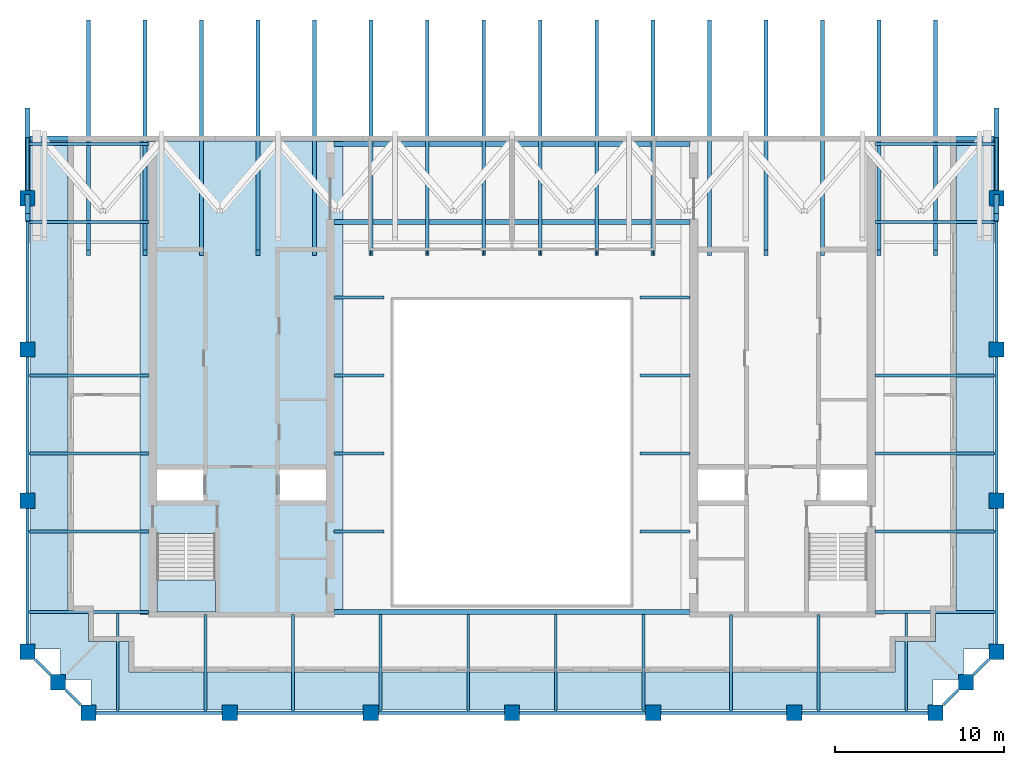
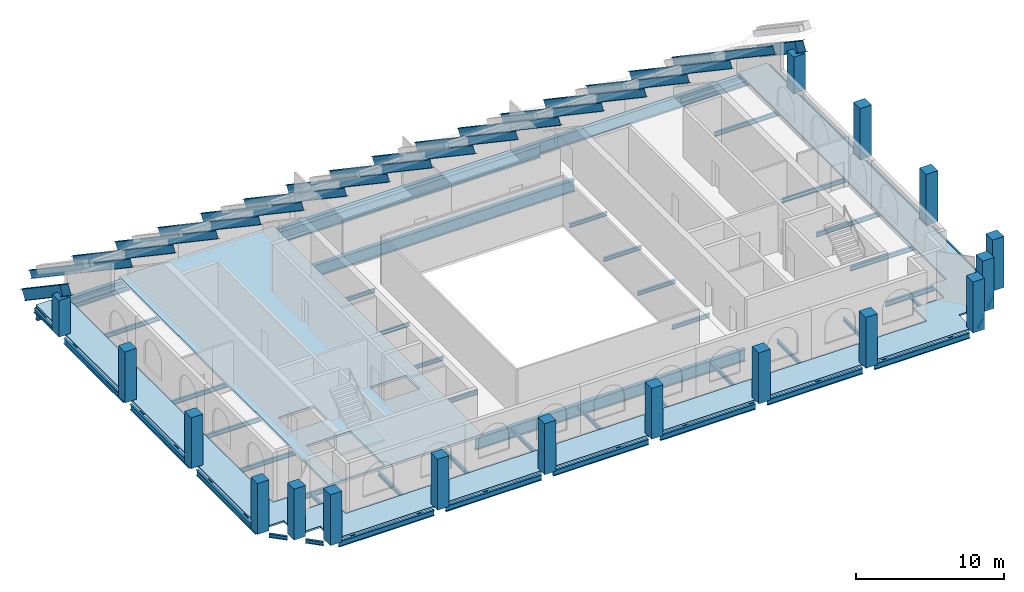
# One storey, part 1 of 6: 56 beams, 17 columns, 16 members, 3 slabs, 1 element without a shape of its own.
"""IFC4 building model written with IfcOpenShell, lengths in metres."""

from ifc_helpers import new_model, si_unit, direction, frame, origin, origin_2d, place, context, subcontext, project, spatial, polyline, rectangle, i_section, outline, extrude, material, layer, layer_set, material_profile, profile_set, type_object, element, aggregate, save


model = new_model("IFC4")

# Units and contexts
model_context = context("Model", 3, precision=1e-05, world=origin(), true_north=direction((0.0, 1.0)))
body_context = subcontext(model_context, "Body", "Model", "MODEL_VIEW")
ifc_project = project(units=[si_unit("LENGTHUNIT", "METRE"), si_unit("AREAUNIT", "SQUARE_METRE"), si_unit("VOLUMEUNIT", "CUBIC_METRE"), si_unit("PLANEANGLEUNIT", "RADIAN"), si_unit("MASSUNIT", "GRAM", prefix="KILO")], contexts=[model_context])

# Site, building, storey
site_placement = place(None, origin())
site = spatial("IfcSite", under=ifc_project, at=site_placement, CompositionType="ELEMENT")
building_placement = place(site_placement, origin())
building = spatial("IfcBuilding", under=site, at=building_placement, Name="Ogive Exchange Tower", CompositionType="ELEMENT")
storey_placement = place(building_placement, frame((0.0, 0.0, 390.0)))
storey = spatial("IfcBuildingStorey", under=building, at=storey_placement, Name="C06", CompositionType="ELEMENT", Elevation=390.0)

# Columns
ifc_material_1 = material(Name="Precast concrete C70/85 (limestone faced)", Category="masonry")
ifc_material_profile_1 = material_profile(ifc_material_1, rectangle(XDim=0.89990234375, YDim=0.89990234375, at=origin_2d()), Name="900 x 900")
ifc_profile_set_1 = profile_set([ifc_material_profile_1], Name="Precast concrete C70/85 (limestone faced)")
column_type = type_object("IfcColumnType", Name="Precast exoskeleton leg 900 x 900 C70/85", PredefinedType="COLUMN", material=ifc_profile_set_1)
for number, where, z_axis, x_axis, name in (
    (1, (-25.050048828125, -8.39990234375, 0.0), (0.0, 0.0, 1.0), (1.0, 0.0, 0.0), "Crown leg 1"),
    (2, (-16.699951171875, -8.39990234375, 0.0), (0.0, 0.0, 1.0), (1.0, 0.0, 0.0), "Crown leg 2"),
    (3, (-8.35009765625, -8.39990234375, 0.0), (0.0, 0.0, 1.0), (1.0, 0.0, 0.0), "Crown leg 3"),
    (4, (0.0, -8.39990234375, 0.0), (0.0, 0.0, 1.0), (1.0, 0.0, 0.0), "Crown leg 4"),
    (5, (8.35009765625, -8.39990234375, 0.0), (0.0, 0.0, 1.0), (1.0, 0.0, 0.0), "Crown leg 5"),
    (6, (16.699951171875, -8.39990234375, 0.0), (0.0, 0.0, 1.0), (1.0, 0.0, 0.0), "Crown leg 6"),
    (7, (25.050048828125, -8.39990234375, 0.0), (0.0, 0.0, 1.0), (1.0, 0.0, 0.0), "Crown leg 7"),
    (8, (28.64990234375, -4.800048828125, 0.0), (0.0, 0.0, 1.0), (1.0, 0.0, 0.0), "Crown leg 8"),
    (9, (28.64990234375, 4.142822265625, 0.0), (0.0, 0.0, 1.0), (1.0, 0.0, 0.0), "Crown leg 9"),
    (10, (28.64990234375, 13.085693359375, 0.0), (0.0, 0.0, 1.0), (1.0, 0.0, 0.0), "Crown leg 10"),
):
    element("IfcColumn", number, at=place(storey_placement, frame(where, z_axis=z_axis, x_axis=x_axis)), inside=storey, type_object=column_type, Name=name, PredefinedType="COLUMN", context=body_context, shape_type="SweptSolid", body=[
        extrude(rectangle(XDim=0.89990234375, YDim=0.89990234375, at=origin_2d()), origin(), (0.0, 0.0, 1.0), 4.199951171875),
    ])
for number, where, z_axis, x_axis, name in (
    (11, (28.64990234375, 22.028564453125, 0.0), (0.0, 0.0, 1.0), (1.0, 0.0, 0.0), "Crown leg 11"),
    (12, (-28.64990234375, 22.028564453125, 0.0), (0.0, 0.0, 1.0), (1.0, 0.0, 0.0), "Crown leg 27"),
):
    element("IfcColumn", number, at=place(storey_placement, frame(where, z_axis=z_axis, x_axis=x_axis)), inside=storey, type_object=column_type, Name=name, PredefinedType="COLUMN", context=body_context, shape_type="SweptSolid", body=[
        extrude(rectangle(XDim=0.89990234375, YDim=0.89990234375, at=origin_2d()), origin(), (0.0, 0.0, 1.0), 3.014892578125),
    ])
for number, where, z_axis, x_axis, name in (
    (13, (-28.64990234375, 13.085693359375, 0.0), (0.0, 0.0, 1.0), (1.0, 0.0, 0.0), "Crown leg 28"),
    (14, (-28.64990234375, 4.142822265625, 0.0), (0.0, 0.0, 1.0), (1.0, 0.0, 0.0), "Crown leg 29"),
    (15, (-28.64990234375, -4.800048828125, 0.0), (0.0, 0.0, 1.0), (1.0, 0.0, 0.0), "Crown leg 30"),
    (16, (26.85009765625, -6.60009765625, 0.0), (0.0, 0.0, 1.0), (1.0, 0.0, 0.0), "Crown leg 31"),
    (17, (-26.85009765625, -6.60009765625, 0.0), (0.0, 0.0, 1.0), (1.0, 0.0, 0.0), "Crown leg 34"),
):
    element("IfcColumn", number, at=place(storey_placement, frame(where, z_axis=z_axis, x_axis=x_axis)), inside=storey, type_object=column_type, Name=name, PredefinedType="COLUMN", context=body_context, shape_type="SweptSolid", body=[
        extrude(rectangle(XDim=0.89990234375, YDim=0.89990234375, at=origin_2d()), origin(), (0.0, 0.0, 1.0), 4.199951171875),
    ])

# Members
ifc_material_2 = material(Name="Steel ASTM A992 Gr50", Category="steel")
ifc_material_profile_2 = material_profile(ifc_material_2, i_section(OverallWidth=0.22900390625, OverallDepth=0.612060546875, WebThickness=0.011962890625, FlangeThickness=0.01953125, at=origin_2d()), Name="W610x125")
ifc_profile_set_2 = profile_set([ifc_material_profile_2], Name="Steel ASTM A992 Gr50")
member_type = type_object("IfcMemberType", Name="Crown rafter W610x125", PredefinedType="RAFTER", material=ifc_profile_set_2)
for number, where, z_axis, x_axis, name in (
    (18, (-25.050048828125, 18.800048828125, 6.3974609375), (0.0, 0.829034101641, -0.559198049278), (-1.0, 0.0, 0.0), "Crown rafter"),
    (19, (-21.7099609375, 18.800048828125, 6.3974609375), (0.0, 0.829034101641, -0.559198049278), (-1.0, 0.0, 0.0), "Crown rafter"),
    (20, (-18.3701171875, 18.800048828125, 6.3974609375), (0.0, 0.829034101641, -0.559198049278), (-1.0, 0.0, 0.0), "Crown rafter"),
    (21, (-15.030029296875, 18.800048828125, 6.3974609375), (0.0, 0.829034101641, -0.559198049278), (-1.0, 0.0, 0.0), "Crown rafter"),
    (22, (-11.68994140625, 18.800048828125, 6.3974609375), (0.0, 0.829034101641, -0.559198049278), (-1.0, 0.0, 0.0), "Crown rafter"),
    (23, (-8.35009765625, 18.800048828125, 6.3974609375), (0.0, 0.829034101641, -0.559198049278), (-1.0, 0.0, 0.0), "Crown rafter"),
    (24, (-5.010009765625, 18.800048828125, 6.3974609375), (0.0, 0.829034101641, -0.559198049278), (-1.0, 0.0, 0.0), "Crown rafter"),
    (25, (-1.669921875, 18.800048828125, 6.3974609375), (0.0, 0.829034101641, -0.559198049278), (-1.0, 0.0, 0.0), "Crown rafter"),
    (26, (1.669921875, 18.800048828125, 6.3974609375), (0.0, 0.829034101641, -0.559198049278), (-1.0, 0.0, 0.0), "Crown rafter"),
    (27, (5.010009765625, 18.800048828125, 6.3974609375), (0.0, 0.829034101641, -0.559198049278), (-1.0, 0.0, 0.0), "Crown rafter"),
    (28, (8.35009765625, 18.800048828125, 6.3974609375), (0.0, 0.829034101641, -0.559198049278), (-1.0, 0.0, 0.0), "Crown rafter"),
    (29, (11.68994140625, 18.800048828125, 6.3974609375), (0.0, 0.829034101641, -0.559198049278), (-1.0, 0.0, 0.0), "Crown rafter"),
    (30, (15.030029296875, 18.800048828125, 6.3974609375), (0.0, 0.829034101641, -0.559198049278), (-1.0, 0.0, 0.0), "Crown rafter"),
    (31, (18.3701171875, 18.800048828125, 6.3974609375), (0.0, 0.829034101641, -0.559198049278), (-1.0, 0.0, 0.0), "Crown rafter"),
    (32, (21.7099609375, 18.800048828125, 6.3974609375), (0.0, 0.829034101641, -0.559198049278), (-1.0, 0.0, 0.0), "Crown rafter"),
    (33, (25.050048828125, 18.800048828125, 6.3974609375), (0.0, 0.829034101641, -0.559198049278), (-1.0, 0.0, 0.0), "Crown rafter"),
):
    element("IfcMember", number, at=place(storey_placement, frame(where, z_axis=z_axis, x_axis=x_axis)), inside=storey, type_object=member_type, Name=name, PredefinedType="RAFTER", context=body_context, shape_type="SweptSolid", body=[
        extrude(i_section(OverallWidth=0.22900390625, OverallDepth=0.612060546875, WebThickness=0.011962890625, FlangeThickness=0.01953125, at=origin_2d()), origin(), (0.0, 0.0, 1.0), 16.404541015625),
    ])

# Beams
ifc_material_profile_3 = material_profile(ifc_material_2, i_section(OverallWidth=0.2919921875, OverallDepth=0.8359375, WebThickness=0.013916015625, FlangeThickness=0.018798828125, at=origin_2d()), Name="W840x176")
ifc_profile_set_3 = profile_set([ifc_material_profile_3], Name="Steel ASTM A992 Gr50")
beam_type_1 = type_object("IfcBeamType", Name="Crown raking ring beam W840x176", PredefinedType="BEAM", material=ifc_profile_set_3)
beam_1_placement = place(storey_placement, frame((28.64990234375, 20.891357421875, 4.199951171875), z_axis=(0.0, 0.829108586608, -0.559087606384), x_axis=(-1.0, 0.0, 0.0)))
element("IfcBeam", 34, at=beam_1_placement, inside=storey, type_object=beam_type_1, Name="Crown ring beam 11", PredefinedType="BEAM", context=body_context, shape_type="SweptSolid", body=[
    extrude(i_section(OverallWidth=0.2919921875, OverallDepth=0.8359375, WebThickness=0.013916015625, FlangeThickness=0.018798828125, at=origin_2d()), origin(), (0.0, 0.0, 1.0), 1.37158203125),
])
for number, where, z_axis, x_axis, name in (
    (35, (28.64990234375, 22.028564453125, 3.43310546875), (0.0, 0.829027968325, -0.559207142063), (-1.0, 0.0, 0.0), "Crown ring beam 12"),
    (36, (-28.64990234375, 27.1181640625, 0.0), (0.0, -0.829027968325, 0.559207142063), (1.0, 0.0, 0.0), "Crown ring beam 29"),
):
    element("IfcBeam", number, at=place(storey_placement, frame(where, z_axis=z_axis, x_axis=x_axis)), inside=storey, type_object=beam_type_1, Name=name, PredefinedType="BEAM", context=body_context, shape_type="SweptSolid", body=[
        extrude(i_section(OverallWidth=0.2919921875, OverallDepth=0.8359375, WebThickness=0.013916015625, FlangeThickness=0.018798828125, at=origin_2d()), origin(), (0.0, 0.0, 1.0), 6.13916015625),
    ])
beam_2_placement = place(storey_placement, frame((-28.64990234375, 22.028564453125, 3.43310546875), z_axis=(0.0, -0.829108586608, 0.559087606384), x_axis=(1.0, 0.0, 0.0)))
element("IfcBeam", 37, at=beam_2_placement, inside=storey, type_object=beam_type_1, Name="Crown ring beam 30", PredefinedType="BEAM", context=body_context, shape_type="SweptSolid", body=[
    extrude(i_section(OverallWidth=0.2919921875, OverallDepth=0.8359375, WebThickness=0.013916015625, FlangeThickness=0.018798828125, at=origin_2d()), origin(), (0.0, 0.0, 1.0), 1.37158203125),
])
ifc_material_profile_4 = material_profile(ifc_material_2, i_section(OverallWidth=0.300048828125, OverallDepth=0.97998046875, WebThickness=0.0166015625, FlangeThickness=0.026123046875, at=origin_2d()), Name="W1000x249")
ifc_profile_set_4 = profile_set([ifc_material_profile_4], Name="Steel ASTM A992 Gr50")
beam_type_2 = type_object("IfcBeamType", Name="Floor beam W1000x249", PredefinedType="JOIST", material=ifc_profile_set_4)
beam_3_placement = place(storey_placement, frame((-10.52001953125, 20.613037109375, -0.68994140625), z_axis=(1.0, 0.0, 0.0), x_axis=(0.0, 1.0, 0.0)))
element("IfcBeam", 38, at=beam_3_placement, inside=storey, type_object=beam_type_2, Name="Floor beam", PredefinedType="JOIST", context=body_context, shape_type="SweptSolid", body=[
    extrude(i_section(OverallWidth=0.300048828125, OverallDepth=0.97998046875, WebThickness=0.0166015625, FlangeThickness=0.026123046875, at=origin_2d()), origin(), (0.0, 0.0, 1.0), 21.0400390625),
])
ifc_material_profile_5 = material_profile(ifc_material_2, i_section(OverallWidth=0.1650390625, OverallDepth=0.31005859375, WebThickness=0.005859375, FlangeThickness=0.009765625, at=origin_2d()), Name="W310x38.7")
ifc_profile_set_5 = profile_set([ifc_material_profile_5], Name="Steel ASTM A992 Gr50")
beam_type_3 = type_object("IfcBeamType", Name="Floor beam W310x38.7", PredefinedType="JOIST", material=ifc_profile_set_5)
for number, where, z_axis, x_axis, name in (
    (39, (-10.52001953125, 2.3212890625, -0.35498046875), (1.0, 0.0, 0.0), (0.0, 1.0, 0.0), "Floor beam"),
    (40, (7.570068359375, 2.3212890625, -0.35498046875), (1.0, 0.0, 0.0), (0.0, 1.0, 0.0), "Floor beam"),
    (41, (-10.52001953125, 6.9326171875, -0.35498046875), (1.0, 0.0, 0.0), (0.0, 1.0, 0.0), "Floor beam"),
    (42, (7.570068359375, 6.9326171875, -0.35498046875), (1.0, 0.0, 0.0), (0.0, 1.0, 0.0), "Floor beam"),
    (43, (-10.52001953125, 11.543701171875, -0.35498046875), (1.0, 0.0, 0.0), (0.0, 1.0, 0.0), "Floor beam"),
    (44, (7.570068359375, 11.543701171875, -0.35498046875), (1.0, 0.0, 0.0), (0.0, 1.0, 0.0), "Floor beam"),
):
    element("IfcBeam", number, at=place(storey_placement, frame(where, z_axis=z_axis, x_axis=x_axis)), inside=storey, type_object=beam_type_3, Name=name, PredefinedType="JOIST", context=body_context, shape_type="SweptSolid", body=[
        extrude(i_section(OverallWidth=0.1650390625, OverallDepth=0.31005859375, WebThickness=0.005859375, FlangeThickness=0.009765625, at=origin_2d()), origin(), (0.0, 0.0, 1.0), 2.949951171875),
    ])
beam_4_placement = place(storey_placement, frame((-23.314208984375, -8.304443359375, -0.35498046875), z_axis=(0.0, 1.0, 0.0), x_axis=(-1.0, 0.0, 0.0)))
element("IfcBeam", 45, at=beam_4_placement, inside=storey, type_object=beam_type_3, Name="Floor beam", PredefinedType="JOIST", context=body_context, shape_type="SweptSolid", body=[
    extrude(i_section(OverallWidth=0.1650390625, OverallDepth=0.31005859375, WebThickness=0.005859375, FlangeThickness=0.009765625, at=origin_2d()), origin(), (0.0, 0.0, 1.0), 5.7705078125),
])
for number, where, z_axis, x_axis, name in (
    (46, (-18.13330078125, -8.304443359375, -0.35498046875), (0.0, 1.0, 0.0), (-1.0, 0.0, 0.0), "Floor beam"),
    (47, (-12.952392578125, -8.304443359375, -0.35498046875), (0.0, 1.0, 0.0), (-1.0, 0.0, 0.0), "Floor beam"),
):
    element("IfcBeam", number, at=place(storey_placement, frame(where, z_axis=z_axis, x_axis=x_axis)), inside=storey, type_object=beam_type_3, Name=name, PredefinedType="JOIST", context=body_context, shape_type="SweptSolid", body=[
        extrude(i_section(OverallWidth=0.1650390625, OverallDepth=0.31005859375, WebThickness=0.005859375, FlangeThickness=0.009765625, at=origin_2d()), origin(), (0.0, 0.0, 1.0), 5.704345703125),
    ])
for number, where, z_axis, x_axis, name in (
    (48, (-7.771484375, -8.304443359375, -0.35498046875), (0.0, 1.0, 0.0), (-1.0, 0.0, 0.0), "Floor beam"),
    (49, (-2.590576171875, -8.304443359375, -0.35498046875), (0.0, 1.0, 0.0), (-1.0, 0.0, 0.0), "Floor beam"),
    (50, (2.590576171875, -8.304443359375, -0.35498046875), (0.0, 1.0, 0.0), (-1.0, 0.0, 0.0), "Floor beam"),
    (51, (7.771484375, -8.304443359375, -0.35498046875), (0.0, 1.0, 0.0), (-1.0, 0.0, 0.0), "Floor beam"),
):
    element("IfcBeam", number, at=place(storey_placement, frame(where, z_axis=z_axis, x_axis=x_axis)), inside=storey, type_object=beam_type_3, Name=name, PredefinedType="JOIST", context=body_context, shape_type="SweptSolid", body=[
        extrude(i_section(OverallWidth=0.1650390625, OverallDepth=0.31005859375, WebThickness=0.005859375, FlangeThickness=0.009765625, at=origin_2d()), origin(), (0.0, 0.0, 1.0), 5.70947265625),
    ])
for number, where, z_axis, x_axis, name in (
    (52, (12.952392578125, -8.304443359375, -0.35498046875), (0.0, 1.0, 0.0), (-1.0, 0.0, 0.0), "Floor beam"),
    (53, (18.13330078125, -8.304443359375, -0.35498046875), (0.0, 1.0, 0.0), (-1.0, 0.0, 0.0), "Floor beam"),
):
    element("IfcBeam", number, at=place(storey_placement, frame(where, z_axis=z_axis, x_axis=x_axis)), inside=storey, type_object=beam_type_3, Name=name, PredefinedType="JOIST", context=body_context, shape_type="SweptSolid", body=[
        extrude(i_section(OverallWidth=0.1650390625, OverallDepth=0.31005859375, WebThickness=0.005859375, FlangeThickness=0.009765625, at=origin_2d()), origin(), (0.0, 0.0, 1.0), 5.704345703125),
    ])
beam_5_placement = place(storey_placement, frame((23.314208984375, -8.304443359375, -0.35498046875), z_axis=(0.0, 1.0, 0.0), x_axis=(-1.0, 0.0, 0.0)))
element("IfcBeam", 54, at=beam_5_placement, inside=storey, type_object=beam_type_3, Name="Floor beam", PredefinedType="JOIST", context=body_context, shape_type="SweptSolid", body=[
    extrude(i_section(OverallWidth=0.1650390625, OverallDepth=0.31005859375, WebThickness=0.005859375, FlangeThickness=0.009765625, at=origin_2d()), origin(), (0.0, 0.0, 1.0), 5.7705078125),
])
ifc_material_profile_6 = material_profile(ifc_material_2, i_section(OverallWidth=0.1708984375, OverallDepth=0.35595703125, WebThickness=0.00732421875, FlangeThickness=0.01171875, at=origin_2d()), Name="W360x51")
ifc_profile_set_6 = profile_set([ifc_material_profile_6], Name="Steel ASTM A992 Gr50")
beam_type_4 = type_object("IfcBeamType", Name="Floor beam W360x51", PredefinedType="JOIST", material=ifc_profile_set_6)
for number, where, z_axis, x_axis, name in (
    (55, (-28.554443359375, 2.3212890625, -0.3779296875), (1.0, 0.0, 0.0), (0.0, 1.0, 0.0), "Floor beam"),
    (56, (21.47998046875, 2.3212890625, -0.3779296875), (1.0, 0.0, 0.0), (0.0, 1.0, 0.0), "Floor beam"),
    (57, (-28.554443359375, 6.9326171875, -0.3779296875), (1.0, 0.0, 0.0), (0.0, 1.0, 0.0), "Floor beam"),
    (58, (21.47998046875, 6.9326171875, -0.3779296875), (1.0, 0.0, 0.0), (0.0, 1.0, 0.0), "Floor beam"),
    (59, (-28.554443359375, 11.543701171875, -0.3779296875), (1.0, 0.0, 0.0), (0.0, 1.0, 0.0), "Floor beam"),
    (60, (21.47998046875, 11.543701171875, -0.3779296875), (1.0, 0.0, 0.0), (0.0, 1.0, 0.0), "Floor beam"),
    (61, (-28.554443359375, 20.613037109375, -0.3779296875), (1.0, 0.0, 0.0), (0.0, 1.0, 0.0), "Floor beam"),
    (62, (21.47998046875, 20.613037109375, -0.3779296875), (1.0, 0.0, 0.0), (0.0, 1.0, 0.0), "Floor beam"),
):
    element("IfcBeam", number, at=place(storey_placement, frame(where, z_axis=z_axis, x_axis=x_axis)), inside=storey, type_object=beam_type_4, Name=name, PredefinedType="JOIST", context=body_context, shape_type="SweptSolid", body=[
        extrude(i_section(OverallWidth=0.1708984375, OverallDepth=0.35595703125, WebThickness=0.00732421875, FlangeThickness=0.01171875, at=origin_2d()), origin(), (0.0, 0.0, 1.0), 7.074462890625),
    ])
ifc_material_profile_7 = material_profile(ifc_material_2, i_section(OverallWidth=0.300048828125, OverallDepth=0.97998046875, WebThickness=0.0166015625, FlangeThickness=0.026123046875, at=origin_2d()), Name="W1000x249")
ifc_profile_set_7 = profile_set([ifc_material_profile_7], Name="Steel ASTM A992 Gr50")
beam_type_5 = type_object("IfcBeamType", Name="Girder W1000x249", PredefinedType="BEAM", material=ifc_profile_set_7)
beam_6_placement = place(storey_placement, frame((-28.5673828125, 25.56591796875, -0.68994140625), z_axis=(1.0, 0.0, 0.0), x_axis=(0.0, 1.0, 0.0)))
element("IfcBeam", 63, at=beam_6_placement, inside=storey, type_object=beam_type_5, Name="Trimmer girder", PredefinedType="BEAM", context=body_context, shape_type="SweptSolid", body=[
    extrude(i_section(OverallWidth=0.300048828125, OverallDepth=0.97998046875, WebThickness=0.0166015625, FlangeThickness=0.026123046875, at=origin_2d()), origin(), (0.0, 0.0, 1.0), 57.134765625),
])
for number, where, z_axis, x_axis, name in (
    (64, (-10.52001953125, -2.445068359375, -0.68994140625), (1.0, 0.0, 0.0), (0.0, 1.0, 0.0), "Header girder"),
    (65, (-10.52001953125, 25.225830078125, -0.68994140625), (1.0, 0.0, 0.0), (0.0, 1.0, 0.0), "Header girder"),
):
    element("IfcBeam", number, at=place(storey_placement, frame(where, z_axis=z_axis, x_axis=x_axis)), inside=storey, type_object=beam_type_5, Name=name, PredefinedType="BEAM", context=body_context, shape_type="SweptSolid", body=[
        extrude(i_section(OverallWidth=0.300048828125, OverallDepth=0.97998046875, WebThickness=0.0166015625, FlangeThickness=0.026123046875, at=origin_2d()), origin(), (0.0, 0.0, 1.0), 21.0400390625),
    ])
ifc_material_profile_8 = material_profile(ifc_material_2, i_section(OverallWidth=0.1650390625, OverallDepth=0.31005859375, WebThickness=0.005859375, FlangeThickness=0.009765625, at=origin_2d()), Name="W310x38.7")
ifc_profile_set_8 = profile_set([ifc_material_profile_8], Name="Steel ASTM A992 Gr50")
beam_type_6 = type_object("IfcBeamType", Name="Girder W310x38.7", PredefinedType="BEAM", material=ifc_profile_set_8)
beam_7_placement = place(storey_placement, frame((-28.64990234375, 25.6259765625, -0.35498046875), z_axis=(0.0, -1.0, 0.0), x_axis=(1.0, 0.0, 0.0)))
element("IfcBeam", 66, at=beam_7_placement, inside=storey, type_object=beam_type_6, Name="Girder", PredefinedType="BEAM", context=body_context, shape_type="SweptSolid", body=[
    extrude(i_section(OverallWidth=0.1650390625, OverallDepth=0.31005859375, WebThickness=0.005859375, FlangeThickness=0.009765625, at=origin_2d()), origin(), (0.0, 0.0, 1.0), 3.1474609375),
])
for number, where, z_axis, x_axis, name in (
    (67, (-28.199951171875, -5.25, -0.35498046875), (0.707106781187, -0.707106781187, 0.0), (0.707106781187, 0.707106781187, 0.0), "Girder"),
    (68, (-26.39990234375, -7.050048828125, -0.35498046875), (0.707106781187, -0.707106781187, 0.0), (0.707106781187, 0.707106781187, 0.0), "Girder"),
    (69, (25.5, -7.949951171875, -0.35498046875), (0.707106781187, 0.707106781187, 0.0), (-0.707106781187, 0.707106781187, 0.0), "Girder"),
    (70, (27.300048828125, -6.14990234375, -0.35498046875), (0.707106781187, 0.707106781187, 0.0), (-0.707106781187, 0.707106781187, 0.0), "Girder"),
):
    element("IfcBeam", number, at=place(storey_placement, frame(where, z_axis=z_axis, x_axis=x_axis)), inside=storey, type_object=beam_type_6, Name=name, PredefinedType="BEAM", context=body_context, shape_type="SweptSolid", body=[
        extrude(i_section(OverallWidth=0.1650390625, OverallDepth=0.31005859375, WebThickness=0.005859375, FlangeThickness=0.009765625, at=origin_2d()), origin(), (0.0, 0.0, 1.0), 1.272705078125),
    ])
beam_8_placement = place(storey_placement, frame((28.64990234375, 22.478515625, -0.35498046875), z_axis=(0.0, 1.0, 0.0), x_axis=(-1.0, 0.0, 0.0)))
element("IfcBeam", 71, at=beam_8_placement, inside=storey, type_object=beam_type_6, Name="Girder", PredefinedType="BEAM", context=body_context, shape_type="SweptSolid", body=[
    extrude(i_section(OverallWidth=0.1650390625, OverallDepth=0.31005859375, WebThickness=0.005859375, FlangeThickness=0.009765625, at=origin_2d()), origin(), (0.0, 0.0, 1.0), 3.1474609375),
])
for number, where, z_axis, x_axis, name in (
    (72, (-10.52001953125, 16.155029296875, -0.35498046875), (1.0, 0.0, 0.0), (0.0, 1.0, 0.0), "Trimmer girder"),
    (73, (7.570068359375, 16.155029296875, -0.35498046875), (1.0, 0.0, 0.0), (0.0, 1.0, 0.0), "Trimmer girder"),
):
    element("IfcBeam", number, at=place(storey_placement, frame(where, z_axis=z_axis, x_axis=x_axis)), inside=storey, type_object=beam_type_6, Name=name, PredefinedType="BEAM", context=body_context, shape_type="SweptSolid", body=[
        extrude(i_section(OverallWidth=0.1650390625, OverallDepth=0.31005859375, WebThickness=0.005859375, FlangeThickness=0.009765625, at=origin_2d()), origin(), (0.0, 0.0, 1.0), 2.949951171875),
    ])
ifc_material_profile_9 = material_profile(ifc_material_2, i_section(OverallWidth=0.177978515625, OverallDepth=0.406005859375, WebThickness=0.0078125, FlangeThickness=0.0126953125, at=origin_2d()), Name="W410x60")
ifc_profile_set_9 = profile_set([ifc_material_profile_9], Name="Steel ASTM A992 Gr50")
beam_type_7 = type_object("IfcBeamType", Name="Girder W410x60", PredefinedType="BEAM", material=ifc_profile_set_9)
for number, where, z_axis, x_axis, name in (
    (74, (-28.554443359375, -2.445068359375, -0.403076171875), (1.0, 0.0, 0.0), (0.0, 1.0, 0.0), "Header girder"),
    (75, (21.47998046875, -2.445068359375, -0.403076171875), (1.0, 0.0, 0.0), (0.0, 1.0, 0.0), "Header girder"),
):
    element("IfcBeam", number, at=place(storey_placement, frame(where, z_axis=z_axis, x_axis=x_axis)), inside=storey, type_object=beam_type_7, Name=name, PredefinedType="BEAM", context=body_context, shape_type="SweptSolid", body=[
        extrude(i_section(OverallWidth=0.177978515625, OverallDepth=0.406005859375, WebThickness=0.0078125, FlangeThickness=0.0126953125, at=origin_2d()), origin(), (0.0, 0.0, 1.0), 7.074462890625),
    ])
for number, where, z_axis, x_axis, name in (
    (76, (-28.5673828125, 25.225830078125, -0.403076171875), (1.0, 0.0, 0.0), (0.0, 1.0, 0.0), "Header girder"),
    (77, (21.47998046875, 25.225830078125, -0.403076171875), (1.0, 0.0, 0.0), (0.0, 1.0, 0.0), "Header girder"),
):
    element("IfcBeam", number, at=place(storey_placement, frame(where, z_axis=z_axis, x_axis=x_axis)), inside=storey, type_object=beam_type_7, Name=name, PredefinedType="BEAM", context=body_context, shape_type="SweptSolid", body=[
        extrude(i_section(OverallWidth=0.177978515625, OverallDepth=0.406005859375, WebThickness=0.0078125, FlangeThickness=0.0126953125, at=origin_2d()), origin(), (0.0, 0.0, 1.0), 7.08740234375),
    ])
ifc_material_profile_10 = material_profile(ifc_material_2, i_section(OverallWidth=0.19091796875, OverallDepth=0.45703125, WebThickness=0.009033203125, FlangeThickness=0.014404296875, at=origin_2d()), Name="W460x74")
ifc_profile_set_10 = profile_set([ifc_material_profile_10], Name="Steel ASTM A992 Gr50")
beam_type_8 = type_object("IfcBeamType", Name="Girder W460x74", PredefinedType="BEAM", material=ifc_profile_set_10)
beam_9_placement = place(storey_placement, frame((-28.64990234375, 21.57861328125, -0.428466796875), z_axis=(0.0, -1.0, 0.0), x_axis=(1.0, 0.0, 0.0)))
element("IfcBeam", 78, at=beam_9_placement, inside=storey, type_object=beam_type_8, Name="Girder", PredefinedType="BEAM", context=body_context, shape_type="SweptSolid", body=[
    extrude(i_section(OverallWidth=0.19091796875, OverallDepth=0.45703125, WebThickness=0.009033203125, FlangeThickness=0.014404296875, at=origin_2d()), origin(), (0.0, 0.0, 1.0), 8.04296875),
])
beam_10_placement = place(storey_placement, frame((-28.64990234375, 12.6357421875, -0.428466796875), z_axis=(0.0, -1.0, 0.0), x_axis=(1.0, 0.0, 0.0)))
element("IfcBeam", 79, at=beam_10_placement, inside=storey, type_object=beam_type_8, Name="Girder", PredefinedType="BEAM", context=body_context, shape_type="SweptSolid", body=[
    extrude(i_section(OverallWidth=0.19091796875, OverallDepth=0.45703125, WebThickness=0.009033203125, FlangeThickness=0.014404296875, at=origin_2d()), origin(), (0.0, 0.0, 1.0), 8.042724609375),
])
beam_11_placement = place(storey_placement, frame((-28.64990234375, 3.69287109375, -0.428466796875), z_axis=(0.0, -1.0, 0.0), x_axis=(1.0, 0.0, 0.0)))
element("IfcBeam", 80, at=beam_11_placement, inside=storey, type_object=beam_type_8, Name="Girder", PredefinedType="BEAM", context=body_context, shape_type="SweptSolid", body=[
    extrude(i_section(OverallWidth=0.19091796875, OverallDepth=0.45703125, WebThickness=0.009033203125, FlangeThickness=0.014404296875, at=origin_2d()), origin(), (0.0, 0.0, 1.0), 8.04296875),
])
beam_12_placement = place(storey_placement, frame((-24.60009765625, -8.39990234375, -0.428466796875), z_axis=(1.0, 0.0, 0.0), x_axis=(0.0, 1.0, 0.0)))
element("IfcBeam", 81, at=beam_12_placement, inside=storey, type_object=beam_type_8, Name="Girder", PredefinedType="BEAM", context=body_context, shape_type="SweptSolid", body=[
    extrude(i_section(OverallWidth=0.19091796875, OverallDepth=0.45703125, WebThickness=0.009033203125, FlangeThickness=0.014404296875, at=origin_2d()), origin(), (0.0, 0.0, 1.0), 7.4501953125),
])
for number, where, z_axis, x_axis, name in (
    (82, (-16.25, -8.39990234375, -0.428466796875), (1.0, 0.0, 0.0), (0.0, 1.0, 0.0), "Girder"),
    (83, (-7.89990234375, -8.39990234375, -0.428466796875), (1.0, 0.0, 0.0), (0.0, 1.0, 0.0), "Girder"),
    (84, (0.449951171875, -8.39990234375, -0.428466796875), (1.0, 0.0, 0.0), (0.0, 1.0, 0.0), "Girder"),
    (85, (8.800048828125, -8.39990234375, -0.428466796875), (1.0, 0.0, 0.0), (0.0, 1.0, 0.0), "Girder"),
):
    element("IfcBeam", number, at=place(storey_placement, frame(where, z_axis=z_axis, x_axis=x_axis)), inside=storey, type_object=beam_type_8, Name=name, PredefinedType="BEAM", context=body_context, shape_type="SweptSolid", body=[
        extrude(i_section(OverallWidth=0.19091796875, OverallDepth=0.45703125, WebThickness=0.009033203125, FlangeThickness=0.014404296875, at=origin_2d()), origin(), (0.0, 0.0, 1.0), 7.449951171875),
    ])
beam_13_placement = place(storey_placement, frame((17.14990234375, -8.39990234375, -0.428466796875), z_axis=(1.0, 0.0, 0.0), x_axis=(0.0, 1.0, 0.0)))
element("IfcBeam", 86, at=beam_13_placement, inside=storey, type_object=beam_type_8, Name="Girder", PredefinedType="BEAM", context=body_context, shape_type="SweptSolid", body=[
    extrude(i_section(OverallWidth=0.19091796875, OverallDepth=0.45703125, WebThickness=0.009033203125, FlangeThickness=0.014404296875, at=origin_2d()), origin(), (0.0, 0.0, 1.0), 7.4501953125),
])
beam_14_placement = place(storey_placement, frame((28.64990234375, -4.35009765625, -0.428466796875), z_axis=(0.0, 1.0, 0.0), x_axis=(-1.0, 0.0, 0.0)))
element("IfcBeam", 87, at=beam_14_placement, inside=storey, type_object=beam_type_8, Name="Girder", PredefinedType="BEAM", context=body_context, shape_type="SweptSolid", body=[
    extrude(i_section(OverallWidth=0.19091796875, OverallDepth=0.45703125, WebThickness=0.009033203125, FlangeThickness=0.014404296875, at=origin_2d()), origin(), (0.0, 0.0, 1.0), 8.04296875),
])
beam_15_placement = place(storey_placement, frame((28.64990234375, 4.593017578125, -0.428466796875), z_axis=(0.0, 1.0, 0.0), x_axis=(-1.0, 0.0, 0.0)))
element("IfcBeam", 88, at=beam_15_placement, inside=storey, type_object=beam_type_8, Name="Girder", PredefinedType="BEAM", context=body_context, shape_type="SweptSolid", body=[
    extrude(i_section(OverallWidth=0.19091796875, OverallDepth=0.45703125, WebThickness=0.009033203125, FlangeThickness=0.014404296875, at=origin_2d()), origin(), (0.0, 0.0, 1.0), 8.042724609375),
])
beam_16_placement = place(storey_placement, frame((28.64990234375, 13.53564453125, -0.428466796875), z_axis=(0.0, 1.0, 0.0), x_axis=(-1.0, 0.0, 0.0)))
element("IfcBeam", 89, at=beam_16_placement, inside=storey, type_object=beam_type_8, Name="Girder", PredefinedType="BEAM", context=body_context, shape_type="SweptSolid", body=[
    extrude(i_section(OverallWidth=0.19091796875, OverallDepth=0.45703125, WebThickness=0.009033203125, FlangeThickness=0.014404296875, at=origin_2d()), origin(), (0.0, 0.0, 1.0), 8.04296875),
])

# Slabs
ifc_material_3 = material(Name="Concrete C70/85", Category="concrete")
ifc_layer_1 = layer(ifc_material_3, 0.199951171875)
ifc_layer_set_1 = layer_set([ifc_layer_1], Name="Core floor slab 200")
slab_type_1 = type_object("IfcSlabType", Name="Core floor slab 200", PredefinedType="FLOOR", material=ifc_layer_set_1)
slab_1_placement = place(storey_placement, frame((0.0, 0.0, -0.199951171875)))
element("IfcSlab", 90, at=slab_1_placement, inside=storey, type_object=slab_type_1, Name="Core floor slab", PredefinedType="FLOOR", context=body_context, shape_type="SweptSolid", body=[
    extrude(outline(polyline([(-22.0, -2.60009765625), (-22.0, 25.720947265625), (-10.0, 25.720947265625), (-10.0, -2.60009765625), (-22.0, -2.60009765625)]), holes=[polyline([(-21.0, 2.196044921875), (-21.0, -2.449951171875), (-17.550048828125, -2.449951171875), (-17.550048828125, 2.196044921875), (-21.0, 2.196044921875)]), polyline([(-21.0, 5.992919921875), (-21.0, 4.14990234375), (-18.25, 4.14990234375), (-18.25, 5.992919921875), (-21.0, 5.992919921875)]), polyline([(-13.75, 5.992919921875), (-13.75, 4.14990234375), (-11.0, 4.14990234375), (-11.0, 5.992919921875), (-13.75, 5.992919921875)])]), origin(), (0.0, 0.0, 1.0), 0.199951171875),
])
ifc_material_4 = material(Name="Concrete C50/60", Category="concrete")
ifc_layer_2 = layer(ifc_material_4, 0.14990234375)
ifc_layer_set_2 = layer_set([ifc_layer_2], Name="Loggia deck 150")
slab_type_2 = type_object("IfcSlabType", Name="Loggia deck 150", PredefinedType="FLOOR", material=ifc_layer_set_2)
slab_2_placement = place(storey_placement, frame((0.0, 0.0, -0.199951171875)))
element("IfcSlab", 91, at=slab_2_placement, inside=storey, type_object=slab_type_2, Name="Loggia deck", PredefinedType="FLOOR", context=body_context, shape_type="SweptSolid", body=[
    extrude(outline(polyline([(-26.695068359375, -4.64501953125), (-28.4951171875, -4.64501953125), (-28.4951171875, 25.720947265625), (-26.25, 25.720947265625), (-26.25, -2.39990234375), (-24.449951171875, -2.39990234375), (-24.449951171875, -2.39990234375), (-25.050048828125, -2.39990234375), (-25.050048828125, -4.199951171875), (-24.449951171875, -4.199951171875), (-24.449951171875, -4.199951171875), (-22.64990234375, -4.199951171875), (-22.64990234375, -6.0), (22.64990234375, -6.0), (22.64990234375, -4.199951171875), (24.449951171875, -4.199951171875), (24.449951171875, -4.199951171875), (25.050048828125, -4.199951171875), (25.050048828125, -2.39990234375), (24.449951171875, -2.39990234375), (24.449951171875, -2.39990234375), (26.25, -2.39990234375), (26.25, 25.720947265625), (28.4951171875, 25.720947265625), (28.4951171875, -4.64501953125), (26.695068359375, -4.64501953125), (26.695068359375, -6.445068359375), (24.89501953125, -6.445068359375), (24.89501953125, -8.2451171875), (-24.89501953125, -8.2451171875), (-24.89501953125, -6.445068359375), (-26.695068359375, -6.445068359375), (-26.695068359375, -4.64501953125)])), origin(), (0.0, 0.0, 1.0), 0.14990234375),
])

# Stair, slab
ifc_material_5 = material(Name="Concrete C40/50", Category="concrete")
stair_type = type_object("IfcStairType", Name="Exit stair 1650 wide", PredefinedType="HALF_TURN_STAIR", material=ifc_material_5)
stair_placement = place(storey_placement, origin())
stair = element("IfcStair", 92, at=stair_placement, inside=storey, type_object=stair_type, Name="C06 exit stair ST1", PredefinedType="HALF_TURN_STAIR")
ifc_layer_3 = layer(ifc_material_5, 0.199951171875)
ifc_layer_set_3 = layer_set([ifc_layer_3], Name="Stair landing 200 slab")
slab_type_3 = type_object("IfcSlabType", Name="Stair landing 200 slab", PredefinedType="LANDING", material=ifc_layer_set_3)
slab_3_placement = place(storey_placement, frame((0.0, 0.0, 1.89990234375)))
slab_3 = element("IfcSlab", 93, at=slab_3_placement, type_object=slab_type_3, Name="ST1 landing 1", PredefinedType="LANDING", context=body_context, shape_type="SweptSolid", body=[
    extrude(outline(polyline([(-21.0, -0.550048828125), (-21.0, -2.449951171875), (-17.550048828125, -2.449951171875), (-17.550048828125, -0.550048828125), (-21.0, -0.550048828125)])), origin(), (0.0, 0.0, 1.0), 0.2001953125),
])
aggregate(stair, [slab_3])

save(model, "model.ifc")
